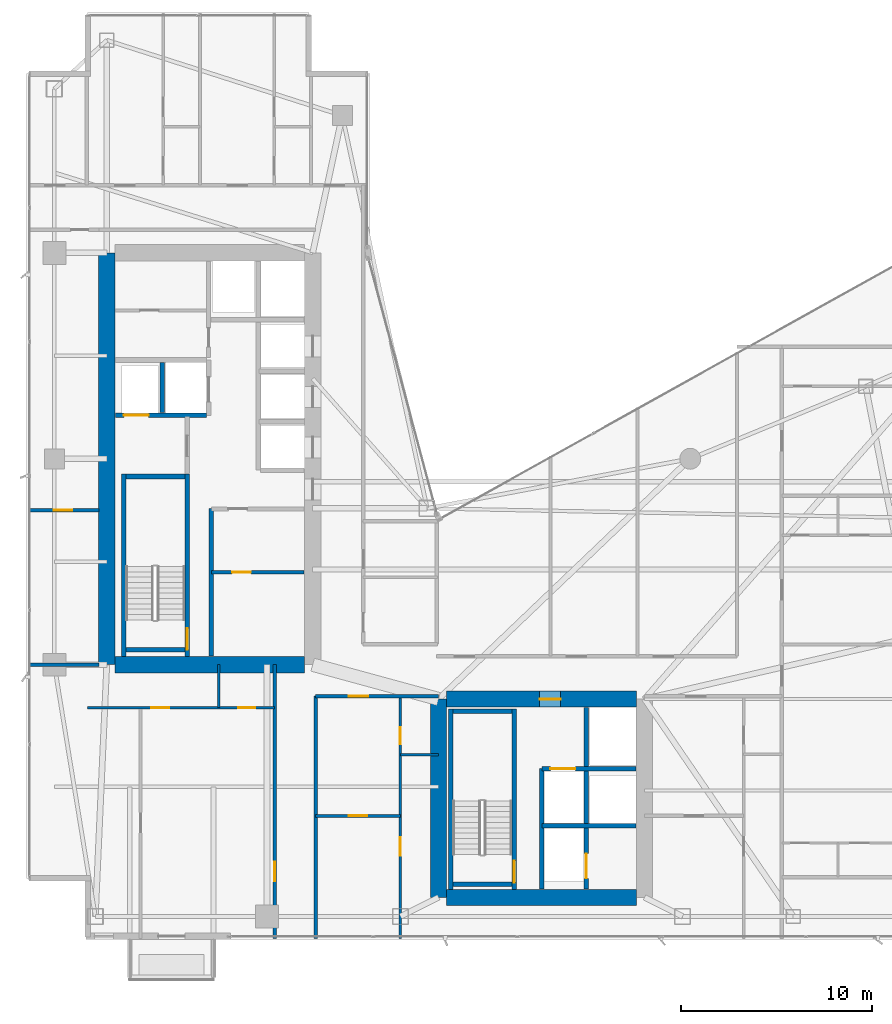
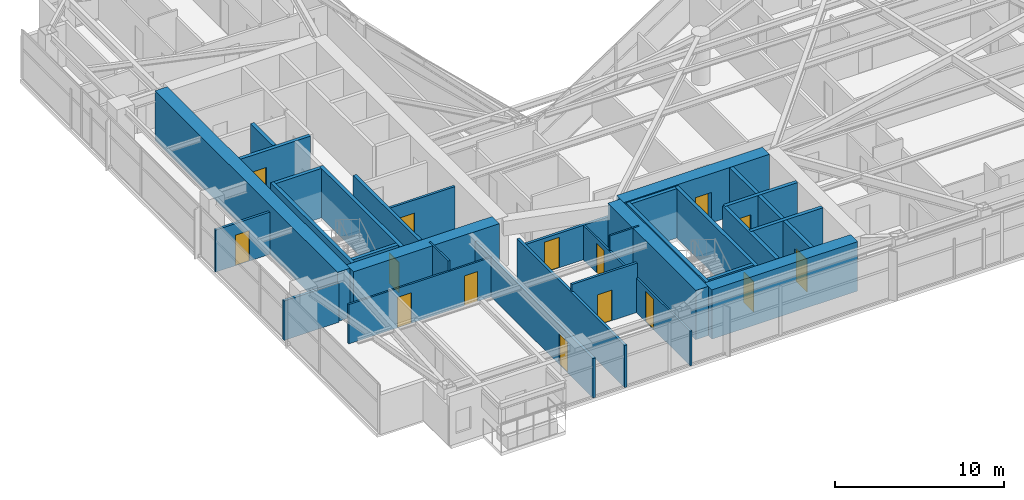
# One storey, part 22 of 28: 31 walls, 15 doors, 15 openings.
"""IFC4 building model written with IfcOpenShell, lengths in metres."""

from ifc_helpers import new_model, si_unit, direction, frame, frame_2d, origin, place, context, subcontext, project, spatial, rectangle, extrude, material, layer, layer_set, type_object, element, fill, save


model = new_model("IFC4")

# Units and contexts
model_context = context("Model", 3, precision=1e-05, world=origin(), true_north=direction((0.0, 1.0)))
body_context = subcontext(model_context, "Body", "Model", "MODEL_VIEW")
ifc_project = project(units=[si_unit("LENGTHUNIT", "METRE"), si_unit("AREAUNIT", "SQUARE_METRE"), si_unit("VOLUMEUNIT", "CUBIC_METRE"), si_unit("PLANEANGLEUNIT", "RADIAN"), si_unit("MASSUNIT", "GRAM", prefix="KILO")], contexts=[model_context])

# Site, building, storey
site_placement = place(None, origin())
site = spatial("IfcSite", under=ifc_project, at=site_placement, CompositionType="ELEMENT")
building_placement = place(site_placement, origin())
building = spatial("IfcBuilding", under=site, at=building_placement, Name="Calvorn Quay Hotel", CompositionType="ELEMENT")
storey_placement = place(building_placement, frame((0.0, 0.0, 112.60009765625)))
storey = spatial("IfcBuildingStorey", under=building, at=storey_placement, Name="L27", CompositionType="ELEMENT", Elevation=112.60009765625)

# Walls
ifc_material_1 = material(Name="Concrete C50", Category="concrete")
ifc_layer_1 = layer(ifc_material_1, 0.85009765625)
ifc_layer_set_1 = layer_set([ifc_layer_1], Name="WL-CORE-850")
wall_type_1 = type_object("IfcWallType", Name="WL-CORE-850", PredefinedType="SHEAR", material=ifc_layer_set_1)
wall_1_placement = place(storey_placement, frame((4.199951171875, 16.800048828125, 0.0), z_axis=(0.0, 0.0, 1.0), x_axis=(0.0, 1.0, 0.0)))
element("IfcWall", 1, at=wall_1_placement, inside=storey, type_object=wall_type_1, Name="West Core Shear Wall W (L27)", PredefinedType="SHEAR", context=body_context, shape_type="SweptSolid", body=[
    extrude(rectangle(XDim=21.599853515625, YDim=0.85009765625, at=frame_2d((10.7998046875, 0.0))), origin(), (0.0, 0.0, 1.0), 3.559814453125),
])
wall_2_placement = place(storey_placement, frame((4.625, 16.800048828125, 0.0), z_axis=(0.0, 0.0, 1.0), x_axis=(1.0, 0.0, 0.0)))
element("IfcWall", 2, at=wall_2_placement, inside=storey, type_object=wall_type_1, Name="West Core Shear Wall S (L27)", PredefinedType="SHEAR", context=body_context, shape_type="SweptSolid", body=[
    extrude(rectangle(XDim=9.949951171875, YDim=0.85009765625, at=frame_2d((4.97509765625, 0.0))), origin(), (0.0, 0.0, 1.0), 3.559814453125),
])
wall_3_placement = place(storey_placement, frame((21.60009765625, 4.60009765625, 0.0), z_axis=(0.0, 0.0, 1.0), x_axis=(0.0, 1.0, 0.0)))
element("IfcWall", 3, at=wall_3_placement, inside=storey, type_object=wall_type_1, Name="East Core Shear Wall W (L27)", PredefinedType="SHEAR", context=body_context, shape_type="SweptSolid", body=[
    extrude(rectangle(XDim=10.39990234375, YDim=0.85009765625, at=frame_2d((5.199951171875, 0.0))), origin(), (0.0, 0.0, 1.0), 3.559814453125),
])

# Wall, opening, door
wall_4_placement = place(storey_placement, frame((22.02490234375, 15.0, 0.0), z_axis=(0.0, 0.0, 1.0), x_axis=(1.0, 0.0, 0.0)))
wall_4 = element("IfcWall", 4, at=wall_4_placement, inside=storey, type_object=wall_type_1, Name="East Core Shear Wall N (L27)", PredefinedType="SHEAR", context=body_context, shape_type="SweptSolid", body=[
    extrude(rectangle(XDim=9.9501953125, YDim=0.85009765625, at=frame_2d((4.97509765625, 0.0))), origin(), (0.0, 0.0, 1.0), 3.559814453125),
])
opening_1_placement = place(wall_4_placement, frame((4.8798828125, 0.0, 0.0)))
opening_1 = element("IfcOpeningElement", 5, at=opening_1_placement, cuts=wall_4, Name="Opening D-L27-FLE", PredefinedType="OPENING", context=body_context, shape_type="SweptSolid", body=[
    extrude(rectangle(XDim=1.10009765625, YDim=2.199951171875, at=frame_2d((0.550048828125, 1.10009765625))), frame((0.0, 0.43505859375, 0.0), z_axis=(0.0, -1.0, 0.0), x_axis=(1.0, 0.0, 0.0)), (0.0, 0.0, 1.0), 0.8701171875),
])
ifc_material_2 = material(Name="Smoke-Sealed Steel Class A Fire Door", Category="steel")
door_type_1 = type_object("IfcDoorType", Name="DR-FFLOBBY-1100", OperationType="NOTDEFINED", PredefinedType="DOOR", material=ifc_material_2)
door_1_placement = place(opening_1_placement, origin())
door_1 = element("IfcDoor", 6, at=door_1_placement, inside=storey, type_object=door_type_1, Name="East Firefighting Lobby Fire Door (L27)", OperationType="SINGLE_SWING_LEFT", OverallHeight=2.199951171875, OverallWidth=1.10009765625, PredefinedType="DOOR", context=body_context, shape_type="SweptSolid", body=[
    extrude(rectangle(XDim=1.10009765625, YDim=2.199951171875, at=frame_2d((0.550048828125, 1.10009765625))), frame((0.0, 0.02490234375, 0.0), z_axis=(0.0, -1.0, 0.0), x_axis=(1.0, 0.0, 0.0)), (0.0, 0.0, 1.0), 0.050048828125),
])
fill(opening_1, door_1)

# Walls
wall_5_placement = place(storey_placement, frame((22.02490234375, 4.60009765625, 0.0), z_axis=(0.0, 0.0, 1.0), x_axis=(1.0, 0.0, 0.0)))
element("IfcWall", 7, at=wall_5_placement, inside=storey, type_object=wall_type_1, Name="East Core Shear Wall S (L27)", PredefinedType="SHEAR", context=body_context, shape_type="SweptSolid", body=[
    extrude(rectangle(XDim=9.9501953125, YDim=0.85009765625, at=frame_2d((4.97509765625, 0.0))), origin(), (0.0, 0.0, 1.0), 3.559814453125),
])
ifc_material_3 = material(Name="Acoustic Fireboard Steel-Stud Partition", Category="steel")
ifc_layer_2 = layer(ifc_material_3, 0.179931640625)
ifc_layer_set_2 = layer_set([ifc_layer_2], Name="WL-CORR-FIRE-180")
wall_type_2 = type_object("IfcWallType", Name="WL-CORR-FIRE-180", PredefinedType="PARTITIONING", material=ifc_layer_set_2)
wall_6_placement = place(storey_placement, frame((0.080078125, 16.800048828125, 0.0), z_axis=(0.0, 0.0, 1.0), x_axis=(1.0, 0.0, 0.0)))
element("IfcWall", 8, at=wall_6_placement, inside=storey, type_object=wall_type_2, Name="Partition Wall L27-WL-WBAY-S-WALL", PredefinedType="PARTITIONING", context=body_context, shape_type="SweptSolid", body=[
    extrude(rectangle(XDim=3.724853515625, YDim=0.179931640625, at=frame_2d((1.8623046875, 0.0))), origin(), (0.0, 0.0, 1.0), 2.83984375),
])

# Wall, opening, door
wall_7_placement = place(storey_placement, frame((13.0, 2.43994140625, 0.0), z_axis=(0.0, 0.0, 1.0), x_axis=(0.0, 1.0, 0.0)))
wall_7 = element("IfcWall", 9, at=wall_7_placement, inside=storey, type_object=wall_type_2, Name="Partition Wall L27-WL-CORR-SW-LEG-W", PredefinedType="PARTITIONING", context=body_context, shape_type="SweptSolid", body=[
    extrude(rectangle(XDim=14.360107421875, YDim=0.179931640625, at=frame_2d((7.18017578125, 0.0))), origin(), (0.0, 0.0, 1.0), 2.83984375),
])
opening_2_placement = place(wall_7_placement, frame((3.010009765625, 0.0, 0.0)))
opening_2 = element("IfcOpeningElement", 10, at=opening_2_placement, cuts=wall_7, Name="Opening D-L27-U01", PredefinedType="OPENING", context=body_context, shape_type="SweptSolid", body=[
    extrude(rectangle(XDim=1.02001953125, YDim=2.199951171875, at=frame_2d((0.510009765625, 1.10009765625))), frame((0.0, 0.099853515625, 0.0), z_axis=(0.0, -1.0, 0.0), x_axis=(1.0, 0.0, 0.0)), (0.0, 0.0, 1.0), 0.199951171875),
])
ifc_material_4 = material(Name="Solid-Core Walnut Veneer Hotel Fire Door")
door_type_2 = type_object("IfcDoorType", Name="DR-GUEST-ENTRY-1020", OperationType="NOTDEFINED", PredefinedType="DOOR", material=ifc_material_4)
door_2_placement = place(opening_2_placement, origin())
door_2 = element("IfcDoor", 11, at=door_2_placement, inside=storey, type_object=door_type_2, Name="South-West Unit Door U01 (L27)", OperationType="SINGLE_SWING_LEFT", OverallHeight=2.199951171875, OverallWidth=1.02001953125, PredefinedType="DOOR", context=body_context, shape_type="SweptSolid", body=[
    extrude(rectangle(XDim=1.02001953125, YDim=2.199951171875, at=frame_2d((0.510009765625, 1.10009765625))), frame((0.0, 0.02490234375, 0.0), z_axis=(0.0, -1.0, 0.0), x_axis=(1.0, 0.0, 0.0)), (0.0, 0.0, 1.0), 0.050048828125),
])
fill(opening_2, door_2)

# Wall
wall_8_placement = place(storey_placement, frame((15.14990234375, 2.43994140625, 0.0), z_axis=(0.0, 0.0, 1.0), x_axis=(0.0, 1.0, 0.0)))
element("IfcWall", 12, at=wall_8_placement, inside=storey, type_object=wall_type_2, Name="Partition Wall L27-WL-CORR-SW-W", PredefinedType="PARTITIONING", context=body_context, shape_type="SweptSolid", body=[
    extrude(rectangle(XDim=12.7099609375, YDim=0.179931640625, at=frame_2d((6.35498046875, 0.0))), origin(), (0.0, 0.0, 1.0), 3.039794921875),
])

# Wall, opening, door
wall_9_placement = place(storey_placement, frame((15.14990234375, 15.14990234375, 0.0), z_axis=(0.0, 0.0, 1.0), x_axis=(1.0, 0.0, 0.0)))
wall_9 = element("IfcWall", 13, at=wall_9_placement, inside=storey, type_object=wall_type_2, Name="Partition Wall L27-WL-SC-CORR-S", PredefinedType="PARTITIONING", context=body_context, shape_type="SweptSolid", body=[
    extrude(rectangle(XDim=6.4501953125, YDim=0.179931640625, at=frame_2d((3.22509765625, 0.0))), origin(), (0.0, 0.0, 1.0), 2.489990234375),
])
opening_3_placement = place(wall_9_placement, frame((1.739990234375, 0.0, 0.0)))
opening_3 = element("IfcOpeningElement", 14, at=opening_3_placement, cuts=wall_9, Name="Opening D-L27-U02", PredefinedType="OPENING", context=body_context, shape_type="SweptSolid", body=[
    extrude(rectangle(XDim=1.02001953125, YDim=2.199951171875, at=frame_2d((0.510009765625, 1.10009765625))), frame((0.0, 0.099853515625, 0.0), z_axis=(0.0, -1.0, 0.0), x_axis=(1.0, 0.0, 0.0)), (0.0, 0.0, 1.0), 0.199951171875),
])
door_3_placement = place(opening_3_placement, origin())
door_3 = element("IfcDoor", 15, at=door_3_placement, inside=storey, type_object=door_type_2, Name="Harbour Central Unit Door (L27)", OperationType="SINGLE_SWING_LEFT", OverallHeight=2.199951171875, OverallWidth=1.02001953125, PredefinedType="DOOR", context=body_context, shape_type="SweptSolid", body=[
    extrude(rectangle(XDim=1.02001953125, YDim=2.199951171875, at=frame_2d((0.510009765625, 1.10009765625))), frame((0.0, 0.02490234375, 0.0), z_axis=(0.0, -1.0, 0.0), x_axis=(1.0, 0.0, 0.0)), (0.0, 0.0, 1.0), 0.050048828125),
])
fill(opening_3, door_3)

# Wall
ifc_material_5 = material(Name="Moisture-Resistant Tile-Backed Partition")
ifc_layer_3 = layer(ifc_material_5, 0.125)
ifc_layer_set_3 = layer_set([ifc_layer_3], Name="WL-ENSUITE-125")
wall_type_3 = type_object("IfcWallType", Name="WL-ENSUITE-125", PredefinedType="PARTITIONING", material=ifc_layer_set_3)
wall_10_placement = place(storey_placement, frame((10.080078125, 14.550048828125, 0.0), z_axis=(0.0, 0.0, 1.0), x_axis=(0.0, 1.0, 0.0)))
element("IfcWall", 16, at=wall_10_placement, inside=storey, type_object=wall_type_3, Name="Partition Wall L27-WL-U01-BDV", PredefinedType="PARTITIONING", context=body_context, shape_type="SweptSolid", body=[
    extrude(rectangle(XDim=2.25, YDim=0.125, at=frame_2d((1.125, 0.0))), origin(), (0.0, 0.0, 1.0), 3.559814453125),
])

# Wall, openings, doors
wall_11_placement = place(storey_placement, frame((3.199951171875, 14.550048828125, 0.0), z_axis=(0.0, 0.0, 1.0), x_axis=(1.0, 0.0, 0.0)))
wall_11 = element("IfcWall", 17, at=wall_11_placement, inside=storey, type_object=wall_type_3, Name="Partition Wall L27-WL-U01-BH", PredefinedType="PARTITIONING", context=body_context, shape_type="SweptSolid", body=[
    extrude(rectangle(XDim=9.800048828125, YDim=0.125, at=frame_2d((4.89990234375, 0.0))), origin(), (0.0, 0.0, 1.0), 2.83984375),
])
opening_4_placement = place(wall_11_placement, frame((3.320068359375, 0.0, 0.0)))
opening_4 = element("IfcOpeningElement", 18, at=opening_4_placement, cuts=wall_11, Name="Opening D-L27-S01", PredefinedType="OPENING", context=body_context, shape_type="SweptSolid", body=[
    extrude(rectangle(XDim=0.9599609375, YDim=2.199951171875, at=frame_2d((0.47998046875, 1.10009765625))), frame((0.0, 0.072509765625, 0.0), z_axis=(0.0, -1.0, 0.0), x_axis=(1.0, 0.0, 0.0)), (0.0, 0.0, 1.0), 0.14501953125),
])
opening_5_placement = place(wall_11_placement, frame((7.889892578125, 0.0, 0.0)))
opening_5 = element("IfcOpeningElement", 19, at=opening_5_placement, cuts=wall_11, Name="Opening D-L27-E01", PredefinedType="OPENING", context=body_context, shape_type="SweptSolid", body=[
    extrude(rectangle(XDim=0.89990234375, YDim=2.14990234375, at=frame_2d((0.449951171875, 1.074951171875))), frame((0.0, 0.072509765625, 0.0), z_axis=(0.0, -1.0, 0.0), x_axis=(1.0, 0.0, 0.0)), (0.0, 0.0, 1.0), 0.14501953125),
])
ifc_material_6 = material(Name="Moisture-Sealed Timber En-Suite Door", Category="wood")
door_type_3 = type_object("IfcDoorType", Name="DR-ENSUITE-900", OperationType="NOTDEFINED", PredefinedType="DOOR", material=ifc_material_6)
door_4_placement = place(opening_5_placement, origin())
door_4 = element("IfcDoor", 20, at=door_4_placement, inside=storey, type_object=door_type_3, Name="En-Suite Door 01", OperationType="SINGLE_SWING_RIGHT", OverallHeight=2.14990234375, OverallWidth=0.89990234375, PredefinedType="DOOR", context=body_context, shape_type="SweptSolid", body=[
    extrude(rectangle(XDim=0.89990234375, YDim=2.14990234375, at=frame_2d((0.449951171875, 1.074951171875))), frame((0.0, 0.02490234375, 0.0), z_axis=(0.0, -1.0, 0.0), x_axis=(1.0, 0.0, 0.0)), (0.0, 0.0, 1.0), 0.050048828125),
])
fill(opening_5, door_4)
ifc_material_7 = material(Name="Solid Timber Internal Suite Door", Category="wood")
door_type_4 = type_object("IfcDoorType", Name="DR-SUITE-INT-960", OperationType="NOTDEFINED", PredefinedType="DOOR", material=ifc_material_7)
door_5_placement = place(opening_4_placement, origin())
door_5 = element("IfcDoor", 21, at=door_5_placement, inside=storey, type_object=door_type_4, Name="Executive Study Door 01", OperationType="SINGLE_SWING_LEFT", OverallHeight=2.199951171875, OverallWidth=0.9599609375, PredefinedType="DOOR", context=body_context, shape_type="SweptSolid", body=[
    extrude(rectangle(XDim=0.9599609375, YDim=2.199951171875, at=frame_2d((0.47998046875, 1.10009765625))), frame((0.0, 0.02490234375, 0.0), z_axis=(0.0, -1.0, 0.0), x_axis=(1.0, 0.0, 0.0)), (0.0, 0.0, 1.0), 0.050048828125),
])
fill(opening_4, door_5)

# Wall
wall_12_placement = place(storey_placement, frame((19.60009765625, 12.070068359375, 0.0), z_axis=(0.0, 0.0, 1.0), x_axis=(1.0, 0.0, 0.0)))
element("IfcWall", 22, at=wall_12_placement, inside=storey, type_object=wall_type_3, Name="Partition Wall L27-WL-U02-BDV", PredefinedType="PARTITIONING", context=body_context, shape_type="SweptSolid", body=[
    extrude(rectangle(XDim=2.0, YDim=0.125, at=frame_2d((1.0, 0.0))), origin(), (0.0, 0.0, 1.0), 3.559814453125),
])

# Wall, openings, doors
wall_13_placement = place(storey_placement, frame((19.60009765625, 2.43994140625, 0.0), z_axis=(0.0, 0.0, 1.0), x_axis=(0.0, 1.0, 0.0)))
wall_13 = element("IfcWall", 23, at=wall_13_placement, inside=storey, type_object=wall_type_3, Name="Partition Wall L27-WL-U02-BV", PredefinedType="PARTITIONING", context=body_context, shape_type="SweptSolid", body=[
    extrude(rectangle(XDim=12.7099609375, YDim=0.125, at=frame_2d((6.35498046875, 0.0))), origin(), (0.0, 0.0, 1.0), 2.489990234375),
])
opening_6_placement = place(wall_13_placement, frame((4.340087890625, 0.0, 0.0)))
opening_6 = element("IfcOpeningElement", 24, at=opening_6_placement, cuts=wall_13, Name="Opening D-L27-S02", PredefinedType="OPENING", context=body_context, shape_type="SweptSolid", body=[
    extrude(rectangle(XDim=0.9599609375, YDim=2.199951171875, at=frame_2d((0.47998046875, 1.10009765625))), frame((0.0, 0.072509765625, 0.0), z_axis=(0.0, -1.0, 0.0), x_axis=(1.0, 0.0, 0.0)), (0.0, 0.0, 1.0), 0.14501953125),
])
opening_7_placement = place(wall_13_placement, frame((10.179931640625, 0.0, 0.0)))
opening_7 = element("IfcOpeningElement", 25, at=opening_7_placement, cuts=wall_13, Name="Opening D-L27-E02", PredefinedType="OPENING", context=body_context, shape_type="SweptSolid", body=[
    extrude(rectangle(XDim=0.89990234375, YDim=2.14990234375, at=frame_2d((0.449951171875, 1.074951171875))), frame((0.0, 0.072509765625, 0.0), z_axis=(0.0, -1.0, 0.0), x_axis=(1.0, 0.0, 0.0)), (0.0, 0.0, 1.0), 0.14501953125),
])
door_6_placement = place(opening_7_placement, origin())
door_6 = element("IfcDoor", 26, at=door_6_placement, inside=storey, type_object=door_type_3, Name="En-Suite Door 02", OperationType="SINGLE_SWING_RIGHT", OverallHeight=2.14990234375, OverallWidth=0.89990234375, PredefinedType="DOOR", context=body_context, shape_type="SweptSolid", body=[
    extrude(rectangle(XDim=0.89990234375, YDim=2.14990234375, at=frame_2d((0.449951171875, 1.074951171875))), frame((0.0, 0.02490234375, 0.0), z_axis=(0.0, -1.0, 0.0), x_axis=(1.0, 0.0, 0.0)), (0.0, 0.0, 1.0), 0.050048828125),
])
fill(opening_7, door_6)
door_7_placement = place(opening_6_placement, origin())
door_7 = element("IfcDoor", 27, at=door_7_placement, inside=storey, type_object=door_type_4, Name="Executive Study Door 02", OperationType="SINGLE_SWING_LEFT", OverallHeight=2.199951171875, OverallWidth=0.9599609375, PredefinedType="DOOR", context=body_context, shape_type="SweptSolid", body=[
    extrude(rectangle(XDim=0.9599609375, YDim=2.199951171875, at=frame_2d((0.47998046875, 1.10009765625))), frame((0.0, 0.02490234375, 0.0), z_axis=(0.0, -1.0, 0.0), x_axis=(1.0, 0.0, 0.0)), (0.0, 0.0, 1.0), 0.050048828125),
])
fill(opening_6, door_7)

# Wall, opening, door
ifc_material_8 = material(Name="Double-Stud Acoustic Gypsum Partition")
ifc_layer_4 = layer(ifc_material_8, 0.159912109375)
ifc_layer_set_4 = layer_set([ifc_layer_4], Name="WL-INTERSUITE-160")
wall_type_4 = type_object("IfcWallType", Name="WL-INTERSUITE-160", PredefinedType="PARTITIONING", material=ifc_layer_set_4)
wall_14_placement = place(storey_placement, frame((9.679931640625, 21.64990234375, 0.0), z_axis=(0.0, 0.0, 1.0), x_axis=(1.0, 0.0, 0.0)))
wall_14 = element("IfcWall", 28, at=wall_14_placement, inside=storey, type_object=wall_type_4, Name="Partition Wall L27-WL-CWW-FR-SPLIT", PredefinedType="PARTITIONING", context=body_context, shape_type="SweptSolid", body=[
    extrude(rectangle(XDim=4.875, YDim=0.159912109375, at=frame_2d((2.4375, 0.0))), origin(), (0.0, 0.0, 1.0), 3.08984375),
])
opening_8_placement = place(wall_14_placement, frame((1.10009765625, 0.0, 0.0)))
opening_8 = element("IfcOpeningElement", 29, at=opening_8_placement, cuts=wall_14, Name="Opening D-L27-FRL1", PredefinedType="OPENING", context=body_context, shape_type="SweptSolid", body=[
    extrude(rectangle(XDim=0.97998046875, YDim=2.14990234375, at=frame_2d((0.489990234375, 1.074951171875))), frame((0.0, 0.08984375, 0.0), z_axis=(0.0, -1.0, 0.0), x_axis=(1.0, 0.0, 0.0)), (0.0, 0.0, 1.0), 0.179931640625),
])
ifc_material_9 = material(Name="Painted Steel Housekeeping/Riser Fire Door", Category="steel")
door_type_5 = type_object("IfcDoorType", Name="DR-SERVICE-980", OperationType="NOTDEFINED", PredefinedType="DOOR", material=ifc_material_9)
door_8_placement = place(opening_8_placement, origin())
door_8 = element("IfcDoor", 30, at=door_8_placement, inside=storey, type_object=door_type_5, Name="Linen Store Room Door (L27)", OperationType="SINGLE_SWING_LEFT", OverallHeight=2.14990234375, OverallWidth=0.97998046875, PredefinedType="DOOR", context=body_context, shape_type="SweptSolid", body=[
    extrude(rectangle(XDim=0.97998046875, YDim=2.14990234375, at=frame_2d((0.489990234375, 1.074951171875))), frame((0.0, 0.02490234375, 0.0), z_axis=(0.0, -1.0, 0.0), x_axis=(1.0, 0.0, 0.0)), (0.0, 0.0, 1.0), 0.050048828125),
])
fill(opening_8, door_8)

wall_15_placement = place(storey_placement, frame((0.080078125, 24.89990234375, 0.0), z_axis=(0.0, 0.0, 1.0), x_axis=(1.0, 0.0, 0.0)))
wall_15 = element("IfcWall", 31, at=wall_15_placement, inside=storey, type_object=wall_type_4, Name="Partition Wall L27-WL-WBAY-DIV", PredefinedType="PARTITIONING", context=body_context, shape_type="SweptSolid", body=[
    extrude(rectangle(XDim=3.724853515625, YDim=0.159912109375, at=frame_2d((1.8623046875, 0.0))), origin(), (0.0, 0.0, 1.0), 3.039794921875),
])
opening_9_placement = place(wall_15_placement, frame((1.35009765625, 0.0, 0.0)))
opening_9 = element("IfcOpeningElement", 32, at=opening_9_placement, cuts=wall_15, Name="Opening D-L27-WBD", PredefinedType="OPENING", context=body_context, shape_type="SweptSolid", body=[
    extrude(rectangle(XDim=0.9599609375, YDim=2.199951171875, at=frame_2d((0.47998046875, 1.10009765625))), frame((0.0, 0.08984375, 0.0), z_axis=(0.0, -1.0, 0.0), x_axis=(1.0, 0.0, 0.0)), (0.0, 0.0, 1.0), 0.179931640625),
])
door_9_placement = place(opening_9_placement, origin())
door_9 = element("IfcDoor", 33, at=door_9_placement, inside=storey, type_object=door_type_4, Name="West Bay Connecting Door (L27)", OperationType="SINGLE_SWING_LEFT", OverallHeight=2.199951171875, OverallWidth=0.9599609375, PredefinedType="DOOR", context=body_context, shape_type="SweptSolid", body=[
    extrude(rectangle(XDim=0.9599609375, YDim=2.199951171875, at=frame_2d((0.47998046875, 1.10009765625))), frame((0.0, 0.02490234375, 0.0), z_axis=(0.0, -1.0, 0.0), x_axis=(1.0, 0.0, 0.0)), (0.0, 0.0, 1.0), 0.050048828125),
])
fill(opening_9, door_9)

wall_16_placement = place(storey_placement, frame((15.14990234375, 8.8701171875, 0.0), z_axis=(0.0, 0.0, 1.0), x_axis=(1.0, 0.0, 0.0)))
wall_16 = element("IfcWall", 34, at=wall_16_placement, inside=storey, type_object=wall_type_4, Name="Partition Wall L27-WL-U02-MSP", PredefinedType="PARTITIONING", context=body_context, shape_type="SweptSolid", body=[
    extrude(rectangle(XDim=4.4501953125, YDim=0.159912109375, at=frame_2d((2.22509765625, 0.0))), origin(), (0.0, 0.0, 1.0), 3.559814453125),
])
opening_10_placement = place(wall_16_placement, frame((1.75, 0.0, 0.0)))
opening_10 = element("IfcOpeningElement", 35, at=opening_10_placement, cuts=wall_16, Name="Opening D-L27-M02", PredefinedType="OPENING", context=body_context, shape_type="SweptSolid", body=[
    extrude(rectangle(XDim=0.9599609375, YDim=2.199951171875, at=frame_2d((0.47998046875, 1.10009765625))), frame((0.0, 0.08984375, 0.0), z_axis=(0.0, -1.0, 0.0), x_axis=(1.0, 0.0, 0.0)), (0.0, 0.0, 1.0), 0.179931640625),
])
door_10_placement = place(opening_10_placement, origin())
door_10 = element("IfcDoor", 36, at=door_10_placement, inside=storey, type_object=door_type_4, Name="Suite Bedroom Door 02", OperationType="SINGLE_SWING_LEFT", OverallHeight=2.199951171875, OverallWidth=0.9599609375, PredefinedType="DOOR", context=body_context, shape_type="SweptSolid", body=[
    extrude(rectangle(XDim=0.9599609375, YDim=2.199951171875, at=frame_2d((0.47998046875, 1.10009765625))), frame((0.0, 0.02490234375, 0.0), z_axis=(0.0, -1.0, 0.0), x_axis=(1.0, 0.0, 0.0)), (0.0, 0.0, 1.0), 0.050048828125),
])
fill(opening_10, door_10)

# Walls
ifc_material_10 = material(Name="Autoclaved Aerated Masonry Block", Category="masonry")
ifc_layer_5 = layer(ifc_material_10, 0.219970703125)
ifc_layer_set_5 = layer_set([ifc_layer_5], Name="WL-LOBBY-FIRE-220")
wall_type_5 = type_object("IfcWallType", Name="WL-LOBBY-FIRE-220", PredefinedType="SOLIDWALL", material=ifc_layer_set_5)
wall_17_placement = place(storey_placement, frame((9.679931640625, 17.2451171875, 0.0), z_axis=(0.0, 0.0, 1.0), x_axis=(0.0, 1.0, 0.0)))
element("IfcWall", 37, at=wall_17_placement, inside=storey, type_object=wall_type_5, Name="Partition Wall L27-WL-CWW-STW-HALL-E", PredefinedType="SOLIDWALL", context=body_context, shape_type="SweptSolid", body=[
    extrude(rectangle(XDim=7.7548828125, YDim=0.219970703125, at=frame_2d((3.87744140625, 0.0))), origin(), (0.0, 0.0, 1.0), 3.559814453125),
])
ifc_material_11 = material(Name="Concrete C40", Category="concrete")
ifc_layer_6 = layer(ifc_material_11, 0.239990234375)
ifc_layer_set_6 = layer_set([ifc_layer_6], Name="WL-SHAFT-240")
wall_type_6 = type_object("IfcWallType", Name="WL-SHAFT-240", PredefinedType="SOLIDWALL", material=ifc_layer_set_6)
wall_18_placement = place(storey_placement, frame((5.080078125, 17.22509765625, 0.0), z_axis=(0.0, 0.0, 1.0), x_axis=(0.0, 1.0, 0.0)))
element("IfcWall", 38, at=wall_18_placement, inside=storey, type_object=wall_type_6, Name="Stair STW Shaft Wall W (L27)", PredefinedType="SOLIDWALL", context=body_context, shape_type="SweptSolid", body=[
    extrude(rectangle(XDim=9.56494140625, YDim=0.239990234375, at=frame_2d((4.782470703125, 0.0))), origin(), (0.0, 0.0, 1.0), 3.559814453125),
])

# Wall, opening, door
wall_19_placement = place(storey_placement, frame((8.419921875, 17.22509765625, 0.0), z_axis=(0.0, 0.0, 1.0), x_axis=(0.0, 1.0, 0.0)))
wall_19 = element("IfcWall", 39, at=wall_19_placement, inside=storey, type_object=wall_type_6, Name="Stair STW Shaft Wall E (L27)", PredefinedType="SOLIDWALL", context=body_context, shape_type="SweptSolid", body=[
    extrude(rectangle(XDim=9.56494140625, YDim=0.239990234375, at=frame_2d((4.782470703125, 0.0))), origin(), (0.0, 0.0, 1.0), 3.559814453125),
])
opening_11_placement = place(wall_19_placement, frame((0.35009765625, 0.0, 0.0)))
opening_11 = element("IfcOpeningElement", 40, at=opening_11_placement, cuts=wall_19, Name="Opening D-L27-STW", PredefinedType="OPENING", context=body_context, shape_type="SweptSolid", body=[
    extrude(rectangle(XDim=1.14990234375, YDim=2.199951171875, at=frame_2d((0.574951171875, 1.10009765625))), frame((0.0, 0.1298828125, 0.0), z_axis=(0.0, -1.0, 0.0), x_axis=(1.0, 0.0, 0.0)), (0.0, 0.0, 1.0), 0.260009765625),
])
ifc_material_12 = material(Name="Galvanised Steel Class A Fire Door", Category="steel")
door_type_6 = type_object("IfcDoorType", Name="DR-STAIR-SMOKE-1150", OperationType="NOTDEFINED", PredefinedType="DOOR", material=ifc_material_12)
door_11_placement = place(opening_11_placement, origin())
door_11 = element("IfcDoor", 41, at=door_11_placement, inside=storey, type_object=door_type_6, Name="Stair ST-W Fire Door (L27)", OperationType="SINGLE_SWING_LEFT", OverallHeight=2.199951171875, OverallWidth=1.14990234375, PredefinedType="DOOR", context=body_context, shape_type="SweptSolid", body=[
    extrude(rectangle(XDim=1.14990234375, YDim=2.199951171875, at=frame_2d((0.574951171875, 1.10009765625))), frame((0.0, 0.02490234375, 0.0), z_axis=(0.0, -1.0, 0.0), x_axis=(1.0, 0.0, 0.0)), (0.0, 0.0, 1.0), 0.050048828125),
])
fill(opening_11, door_11)

# Walls
for number, where, z_axis, x_axis, name in (
    (42, (5.199951171875, 17.580078125, 0.0), (0.0, 0.0, 1.0), (1.0, 0.0, 0.0), "Stair STW Shaft Wall S (L27)"),
    (43, (5.199951171875, 26.669921875, 0.0), (0.0, 0.0, 1.0), (1.0, 0.0, 0.0), "Stair STW Shaft Wall N (L27)"),
):
    element("IfcWall", number, at=place(storey_placement, frame(where, z_axis=z_axis, x_axis=x_axis)), inside=storey, type_object=wall_type_6, Name=name, PredefinedType="SOLIDWALL", context=body_context, shape_type="SweptSolid", body=[
        extrude(rectangle(XDim=3.10009765625, YDim=0.239990234375, at=frame_2d((1.550048828125, 0.0))), origin(), (0.0, 0.0, 1.0), 3.559814453125),
    ])
wall_20_placement = place(storey_placement, frame((22.22998046875, 5.02490234375, 0.0), z_axis=(0.0, 0.0, 1.0), x_axis=(0.0, 1.0, 0.0)))
element("IfcWall", 44, at=wall_20_placement, inside=storey, type_object=wall_type_6, Name="Stair STE Shaft Wall W (L27)", PredefinedType="SOLIDWALL", context=body_context, shape_type="SweptSolid", body=[
    extrude(rectangle(XDim=9.465087890625, YDim=0.239990234375, at=frame_2d((4.732421875, 0.0))), origin(), (0.0, 0.0, 1.0), 3.559814453125),
])

# Wall, opening, door
wall_21_placement = place(storey_placement, frame((25.570068359375, 5.02490234375, 0.0), z_axis=(0.0, 0.0, 1.0), x_axis=(0.0, 1.0, 0.0)))
wall_21 = element("IfcWall", 45, at=wall_21_placement, inside=storey, type_object=wall_type_6, Name="Stair STE Shaft Wall E (L27)", PredefinedType="SOLIDWALL", context=body_context, shape_type="SweptSolid", body=[
    extrude(rectangle(XDim=9.465087890625, YDim=0.239990234375, at=frame_2d((4.732421875, 0.0))), origin(), (0.0, 0.0, 1.0), 3.559814453125),
])
opening_12_placement = place(wall_21_placement, frame((0.35009765625, 0.0, 0.0)))
opening_12 = element("IfcOpeningElement", 46, at=opening_12_placement, cuts=wall_21, Name="Opening D-L27-STE", PredefinedType="OPENING", context=body_context, shape_type="SweptSolid", body=[
    extrude(rectangle(XDim=1.14990234375, YDim=2.199951171875, at=frame_2d((0.574951171875, 1.10009765625))), frame((0.0, 0.1298828125, 0.0), z_axis=(0.0, -1.0, 0.0), x_axis=(1.0, 0.0, 0.0)), (0.0, 0.0, 1.0), 0.260009765625),
])
door_12_placement = place(opening_12_placement, origin())
door_12 = element("IfcDoor", 47, at=door_12_placement, inside=storey, type_object=door_type_6, Name="Stair ST-E Fire Door (L27)", OperationType="SINGLE_SWING_RIGHT", OverallHeight=2.199951171875, OverallWidth=1.14990234375, PredefinedType="DOOR", context=body_context, shape_type="SweptSolid", body=[
    extrude(rectangle(XDim=1.14990234375, YDim=2.199951171875, at=frame_2d((0.574951171875, 1.10009765625))), frame((0.0, 0.02490234375, 0.0), z_axis=(0.0, -1.0, 0.0), x_axis=(1.0, 0.0, 0.0)), (0.0, 0.0, 1.0), 0.050048828125),
])
fill(opening_12, door_12)

# Walls
for number, where, z_axis, x_axis, name in (
    (48, (22.35009765625, 5.280029296875, 0.0), (0.0, 0.0, 1.0), (1.0, 0.0, 0.0), "Stair STE Shaft Wall S (L27)"),
    (49, (22.35009765625, 14.3701171875, 0.0), (0.0, 0.0, 1.0), (1.0, 0.0, 0.0), "Stair STE Shaft Wall N (L27)"),
):
    element("IfcWall", number, at=place(storey_placement, frame(where, z_axis=z_axis, x_axis=x_axis)), inside=storey, type_object=wall_type_6, Name=name, PredefinedType="SOLIDWALL", context=body_context, shape_type="SweptSolid", body=[
        extrude(rectangle(XDim=3.099853515625, YDim=0.239990234375, at=frame_2d((1.5498046875, 0.0))), origin(), (0.0, 0.0, 1.0), 3.559814453125),
    ])

# Wall, opening, door
wall_22_placement = place(storey_placement, frame((4.64501953125, 29.8798828125, 0.0), z_axis=(0.0, 0.0, 1.0), x_axis=(1.0, 0.0, 0.0)))
wall_22 = element("IfcWall", 50, at=wall_22_placement, inside=storey, type_object=wall_type_6, Name="Partition Wall L27-WL-CWW-FLW-S", PredefinedType="SOLIDWALL", context=body_context, shape_type="SweptSolid", body=[
    extrude(rectangle(XDim=4.77490234375, YDim=0.239990234375, at=frame_2d((2.387451171875, 0.0))), origin(), (0.0, 0.0, 1.0), 3.559814453125),
])
opening_13_placement = place(wall_22_placement, frame((0.449951171875, 0.0, 0.0)))
opening_13 = element("IfcOpeningElement", 51, at=opening_13_placement, cuts=wall_22, Name="Opening LD-L27-FLW1", PredefinedType="OPENING", context=body_context, shape_type="SweptSolid", body=[
    extrude(rectangle(XDim=1.300048828125, YDim=2.35009765625, at=frame_2d((0.64990234375, 1.175048828125))), frame((0.0, 0.1298828125, 0.0), z_axis=(0.0, -1.0, 0.0), x_axis=(1.0, 0.0, 0.0)), (0.0, 0.0, 1.0), 0.260009765625),
])
ifc_material_13 = material(Name="Champagne-Bronze Sliding Express Lift Landing Door")
door_type_7 = type_object("IfcDoorType", Name="DR-LIFT-SHUTTLE-1300", OperationType="NOTDEFINED", PredefinedType="DOOR", material=ifc_material_13)
door_13_placement = place(opening_13_placement, origin())
door_13 = element("IfcDoor", 52, at=door_13_placement, inside=storey, type_object=door_type_7, Name="Firefighting Lift FL-W1 Landing Door (L27)", OperationType="DOUBLE_DOOR_SLIDING", OverallHeight=2.35009765625, OverallWidth=1.300048828125, PredefinedType="DOOR", context=body_context, shape_type="SweptSolid", body=[
    extrude(rectangle(XDim=1.300048828125, YDim=2.35009765625, at=frame_2d((0.64990234375, 1.175048828125))), frame((0.0, 0.02490234375, 0.0), z_axis=(0.0, -1.0, 0.0), x_axis=(1.0, 0.0, 0.0)), (0.0, 0.0, 1.0), 0.050048828125),
])
fill(opening_13, door_13)

# Walls
wall_23_placement = place(storey_placement, frame((7.10009765625, 30.02001953125, 0.0), z_axis=(0.0, 0.0, 1.0), x_axis=(0.0, 1.0, 0.0)))
element("IfcWall", 53, at=wall_23_placement, inside=storey, type_object=wall_type_6, Name="Partition Wall L27-WL-CWW-FLW-DIV", PredefinedType="SOLIDWALL", context=body_context, shape_type="SweptSolid", body=[
    extrude(rectangle(XDim=2.6298828125, YDim=0.239990234375, at=frame_2d((1.31494140625, 0.0))), origin(), (0.0, 0.0, 1.0), 3.559814453125),
])
wall_24_placement = place(storey_placement, frame((27.02001953125, 5.044921875, 0.0), z_axis=(0.0, 0.0, 1.0), x_axis=(0.0, 1.0, 0.0)))
element("IfcWall", 54, at=wall_24_placement, inside=storey, type_object=wall_type_6, Name="Partition Wall L27-WL-CWE-SH-W", PredefinedType="SOLIDWALL", context=body_context, shape_type="SweptSolid", body=[
    extrude(rectangle(XDim=6.30517578125, YDim=0.239990234375, at=frame_2d((3.152587890625, 0.0))), origin(), (0.0, 0.0, 1.0), 3.559814453125),
])

# Wall, opening, door
wall_25_placement = place(storey_placement, frame((27.02001953125, 11.35009765625, 0.0), z_axis=(0.0, 0.0, 1.0), x_axis=(1.0, 0.0, 0.0)))
wall_25 = element("IfcWall", 55, at=wall_25_placement, inside=storey, type_object=wall_type_6, Name="Partition Wall L27-WL-CWE-FFL-S", PredefinedType="SOLIDWALL", context=body_context, shape_type="SweptSolid", body=[
    extrude(rectangle(XDim=4.93505859375, YDim=0.239990234375, at=frame_2d((2.467529296875, 0.0))), origin(), (0.0, 0.0, 1.0), 3.559814453125),
])
opening_14_placement = place(wall_25_placement, frame((0.449951171875, 0.0, 0.0)))
opening_14 = element("IfcOpeningElement", 56, at=opening_14_placement, cuts=wall_25, Name="Opening LD-L27-FLE1", PredefinedType="OPENING", context=body_context, shape_type="SweptSolid", body=[
    extrude(rectangle(XDim=1.300048828125, YDim=2.35009765625, at=frame_2d((0.64990234375, 1.175048828125))), frame((0.0, 0.1298828125, 0.0), z_axis=(0.0, -1.0, 0.0), x_axis=(1.0, 0.0, 0.0)), (0.0, 0.0, 1.0), 0.260009765625),
])
door_14_placement = place(opening_14_placement, origin())
door_14 = element("IfcDoor", 57, at=door_14_placement, inside=storey, type_object=door_type_7, Name="Firefighting Lift FL-E1 Landing Door (L27)", OperationType="DOUBLE_DOOR_SLIDING", OverallHeight=2.35009765625, OverallWidth=1.300048828125, PredefinedType="DOOR", context=body_context, shape_type="SweptSolid", body=[
    extrude(rectangle(XDim=1.300048828125, YDim=2.35009765625, at=frame_2d((0.64990234375, 1.175048828125))), frame((0.0, 0.02490234375, 0.0), z_axis=(0.0, -1.0, 0.0), x_axis=(1.0, 0.0, 0.0)), (0.0, 0.0, 1.0), 0.050048828125),
])
fill(opening_14, door_14)

# Wall
wall_26_placement = place(storey_placement, frame((27.02001953125, 8.35009765625, 0.0), z_axis=(0.0, 0.0, 1.0), x_axis=(1.0, 0.0, 0.0)))
element("IfcWall", 58, at=wall_26_placement, inside=storey, type_object=wall_type_6, Name="Partition Wall L27-WL-CWE-SL-N", PredefinedType="SOLIDWALL", context=body_context, shape_type="SweptSolid", body=[
    extrude(rectangle(XDim=4.93505859375, YDim=0.239990234375, at=frame_2d((2.467529296875, 0.0))), origin(), (0.0, 0.0, 1.0), 3.559814453125),
])

# Wall, opening, door
wall_27_placement = place(storey_placement, frame((29.35009765625, 5.044921875, 0.0), z_axis=(0.0, 0.0, 1.0), x_axis=(0.0, 1.0, 0.0)))
wall_27 = element("IfcWall", 59, at=wall_27_placement, inside=storey, type_object=wall_type_6, Name="Partition Wall L27-WL-CWE-OB-W", PredefinedType="SOLIDWALL", context=body_context, shape_type="SweptSolid", body=[
    extrude(rectangle(XDim=9.510009765625, YDim=0.239990234375, at=frame_2d((4.7548828125, 0.0))), origin(), (0.0, 0.0, 1.0), 3.559814453125),
])
opening_15_placement = place(wall_27_placement, frame((0.550048828125, 0.0, 0.0)))
opening_15 = element("IfcOpeningElement", 60, at=opening_15_placement, cuts=wall_27, Name="Opening LD-L27-SLEI", PredefinedType="OPENING", context=body_context, shape_type="SweptSolid", body=[
    extrude(rectangle(XDim=1.300048828125, YDim=2.35009765625, at=frame_2d((0.64990234375, 1.175048828125))), frame((0.0, 0.1298828125, 0.0), z_axis=(0.0, -1.0, 0.0), x_axis=(1.0, 0.0, 0.0)), (0.0, 0.0, 1.0), 0.260009765625),
])
door_15_placement = place(opening_15_placement, origin())
door_15 = element("IfcDoor", 61, at=door_15_placement, inside=storey, type_object=door_type_7, Name="Service Lift SL-E1 Landing Door (L27)", OperationType="DOUBLE_DOOR_SLIDING", OverallHeight=2.35009765625, OverallWidth=1.300048828125, PredefinedType="DOOR", context=body_context, shape_type="SweptSolid", body=[
    extrude(rectangle(XDim=1.300048828125, YDim=2.35009765625, at=frame_2d((0.64990234375, 1.175048828125))), frame((0.0, 0.02490234375, 0.0), z_axis=(0.0, -1.0, 0.0), x_axis=(1.0, 0.0, 0.0)), (0.0, 0.0, 1.0), 0.050048828125),
])
fill(opening_15, door_15)

save(model, "model.ifc")
